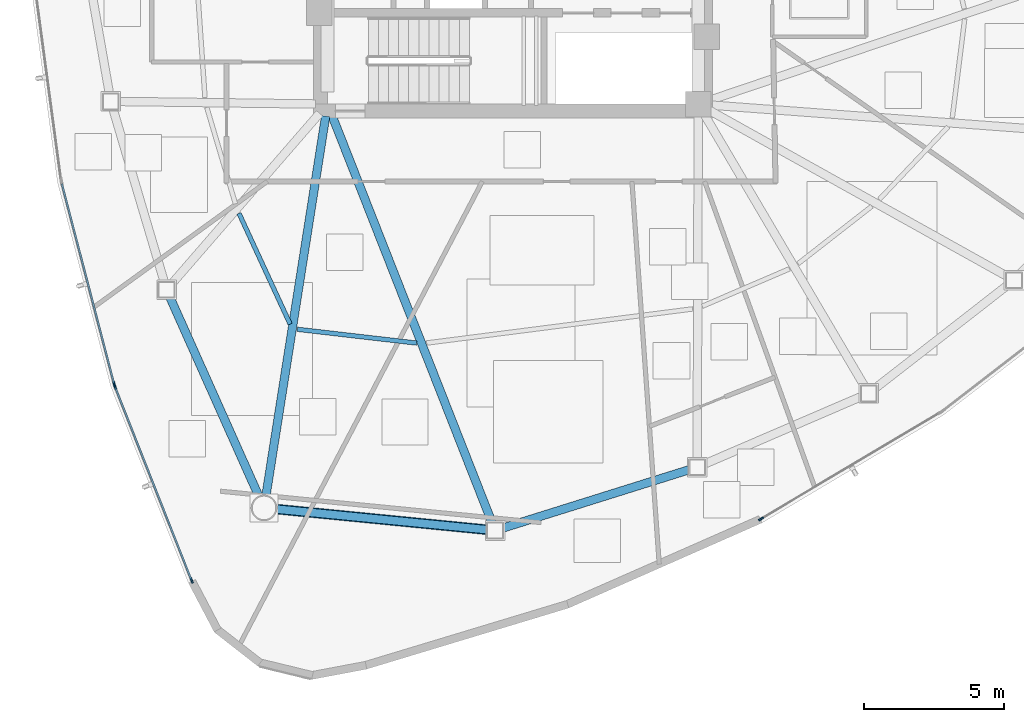
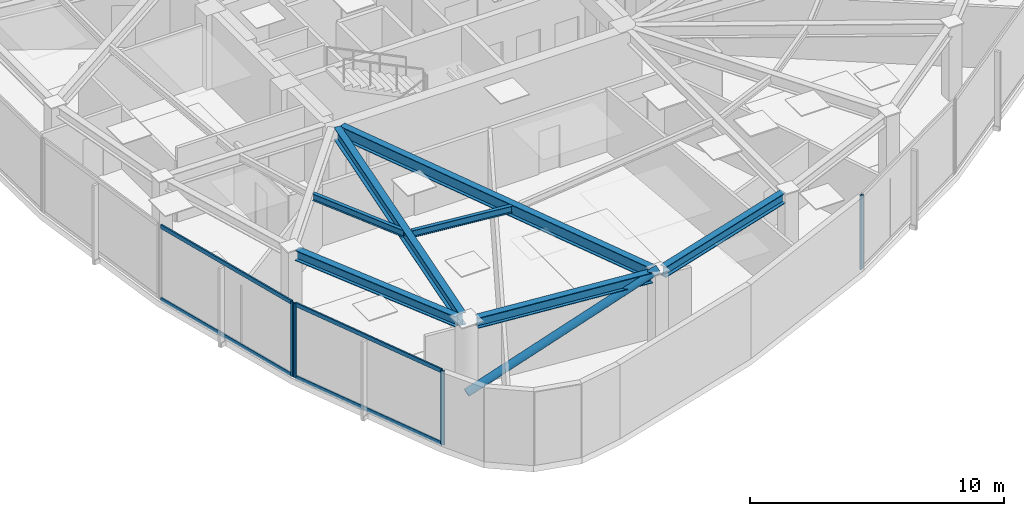
# One storey, part 2 of 18: 9 members, 7 beams, 3 elements without a shape of their own.
"""IFC4 building model written with IfcOpenShell, lengths in metres."""

from ifc_helpers import new_model, si_unit, direction, frame, origin, origin_2d, place, context, subcontext, project, spatial, hollow_rectangle, hollow_circle, i_section, extrude, source, transform, mapped, material, layer, layer_set, material_profile, profile_set, type_object, type_shapes, element, aggregate, save


model = new_model("IFC4")

# Units and contexts
model_context = context("Model", 3, precision=1e-05, world=origin(), true_north=direction((0.0, 1.0)))
body_context = subcontext(model_context, "Body", "Model", "MODEL_VIEW")
ifc_project = project(units=[si_unit("LENGTHUNIT", "METRE"), si_unit("AREAUNIT", "SQUARE_METRE"), si_unit("VOLUMEUNIT", "CUBIC_METRE"), si_unit("PLANEANGLEUNIT", "RADIAN"), si_unit("MASSUNIT", "GRAM", prefix="KILO")], contexts=[model_context])

# Site, building, storey
site_placement = place(None, origin())
site = spatial("IfcSite", under=ifc_project, at=site_placement, CompositionType="ELEMENT")
building_placement = place(site_placement, origin())
building = spatial("IfcBuilding", under=site, at=building_placement, Name="Tavelor Broadcast Tower", CompositionType="ELEMENT")
storey_placement = place(building_placement, frame((0.0, 0.0, 177.199951171875)))
storey = spatial("IfcBuildingStorey", under=building, at=storey_placement, Name="L42", CompositionType="ELEMENT", Elevation=177.199951171875)

# Beams
ifc_material_1 = material(Name="Steel S355", Category="steel")
ifc_material_profile_1 = material_profile(ifc_material_1, i_section(OverallWidth=0.159912109375, OverallDepth=0.330078125, WebThickness=0.007568359375, FlangeThickness=0.011474609375, at=origin_2d()), Name="IPE 330")
ifc_profile_set_1 = profile_set([ifc_material_profile_1], Name="Steel S355")
beam_type_1 = type_object("IfcBeamType", Name="Composite Floor Joist T4 IPE 330", PredefinedType="JOIST", material=ifc_profile_set_1)
beam_1_placement = place(storey_placement, frame((40.2470703125, 34.91259765625, 3.385009765625), z_axis=(0.418865688231, -0.908048200936, 0.0), x_axis=(0.908048200936, 0.418865688231, 0.0)))
element("IfcBeam", 1, at=beam_1_placement, inside=storey, type_object=beam_type_1, Name="L42 Secondary Composite Floor Joist 06", PredefinedType="JOIST", context=body_context, shape_type="SweptSolid", body=[
    extrude(i_section(OverallWidth=0.159912109375, OverallDepth=0.330078125, WebThickness=0.007568359375, FlangeThickness=0.011474609375, at=origin_2d()), origin(), (0.0, 0.0, 1.0), 4.343505859375),
])
beam_2_placement = place(storey_placement, frame((42.322021484375, 30.783447265625, 3.385009765625), z_axis=(0.99339343168, -0.114758397927, 0.0), x_axis=(0.114758397927, 0.99339343168, 0.0)))
element("IfcBeam", 2, at=beam_2_placement, inside=storey, type_object=beam_type_1, Name="L42 Secondary Composite Floor Joist 07", PredefinedType="JOIST", context=body_context, shape_type="SweptSolid", body=[
    extrude(i_section(OverallWidth=0.159912109375, OverallDepth=0.330078125, WebThickness=0.007568359375, FlangeThickness=0.011474609375, at=origin_2d()), origin(), (0.0, 0.0, 1.0), 4.2783203125),
])
ifc_material_profile_2 = material_profile(ifc_material_1, i_section(OverallWidth=0.300048828125, OverallDepth=0.5, WebThickness=0.014404296875, FlangeThickness=0.028076171875, at=origin_2d()), Name="HEB 500")
ifc_profile_set_2 = profile_set([ifc_material_profile_2], Name="Steel S355")
beam_type_2 = type_object("IfcBeamType", Name="Perimeter Spandrel Beam T4 HEB 500", PredefinedType="SPANDREL", material=ifc_profile_set_2)
beam_3_placement = place(storey_placement, frame((37.78564453125, 31.927490234375, 3.300048828125), z_axis=(0.407969002466, -0.912995779304, 0.0), x_axis=(0.912995779304, 0.407969002466, 0.0)))
element("IfcBeam", 3, at=beam_3_placement, inside=storey, type_object=beam_type_2, Name="L42 Framed-Tube Ring Spandrel 06", PredefinedType="SPANDREL", context=body_context, shape_type="SweptSolid", body=[
    extrude(i_section(OverallWidth=0.300048828125, OverallDepth=0.5, WebThickness=0.014404296875, FlangeThickness=0.028076171875, at=origin_2d()), origin(), (0.0, 0.0, 1.0), 7.7802734375),
])
beam_4_placement = place(storey_placement, frame((41.5751953125, 24.381103515625, 3.300048828125), z_axis=(0.995249339376, -0.097358884918, 0.0), x_axis=(0.097358884918, 0.995249339376, 0.0)))
element("IfcBeam", 4, at=beam_4_placement, inside=storey, type_object=beam_type_2, Name="L42 Framed-Tube Ring Spandrel 07", PredefinedType="SPANDREL", context=body_context, shape_type="SweptSolid", body=[
    extrude(i_section(OverallWidth=0.300048828125, OverallDepth=0.5, WebThickness=0.014404296875, FlangeThickness=0.028076171875, at=origin_2d()), origin(), (0.0, 0.0, 1.0), 7.54052734375),
])
beam_5_placement = place(storey_placement, frame((49.641357421875, 23.705078125, 3.300048828125), z_axis=(0.954273247332, 0.298935727918, 0.0), x_axis=(-0.298935727918, 0.954273247332, 0.0)))
element("IfcBeam", 5, at=beam_5_placement, inside=storey, type_object=beam_type_2, Name="L42 Framed-Tube Ring Spandrel 08", PredefinedType="SPANDREL", context=body_context, shape_type="SweptSolid", body=[
    extrude(i_section(OverallWidth=0.300048828125, OverallDepth=0.5, WebThickness=0.014404296875, FlangeThickness=0.028076171875, at=origin_2d()), origin(), (0.0, 0.0, 1.0), 6.963134765625),
])

# Member
ifc_material_profile_3 = material_profile(ifc_material_1, hollow_circle(Radius=0.177734375, WallThickness=0.01611328125, at=origin_2d()), Name="CHS 355.6x16")
ifc_profile_set_3 = profile_set([ifc_material_profile_3], Name="Steel S355")
member_type_1 = type_object("IfcMemberType", Name="Perimeter Tube Brace T4 CHS 355.6x16", PredefinedType="BRACE", material=ifc_profile_set_3)
member_1_placement = place(storey_placement, frame((41.138671875, 24.423828125, 0.0), z_axis=(0.914496364203, -0.089466025126, 0.394578547577), x_axis=(0.097366094377, 0.995248634094, 0.0)))
element("IfcMember", 6, at=member_1_placement, inside=storey, type_object=member_type_1, Name="L42 Corner Tube Diagonal Brace 2", PredefinedType="BRACE", context=body_context, shape_type="SweptSolid", body=[
    extrude(hollow_circle(Radius=0.177734375, WallThickness=0.01611328125, at=origin_2d()), origin(), (0.0, 0.0, 1.0), 8.9970703125),
])

# Beams
ifc_material_profile_4 = material_profile(ifc_material_1, i_section(OverallWidth=0.300048828125, OverallDepth=0.590087890625, WebThickness=0.012939453125, FlangeThickness=0.02490234375, at=origin_2d()), Name="HEA 600")
ifc_profile_set_4 = profile_set([ifc_material_profile_4], Name="Steel S355")
beam_type_3 = type_object("IfcBeamType", Name="Radial Floor Girder T4 HEA 600", PredefinedType="BEAM", material=ifc_profile_set_4)
beam_6_placement = place(storey_placement, frame((43.3330078125, 38.373291015625, 3.255126953125), z_axis=(-0.15539903111, -0.987851780952, 0.0), x_axis=(0.987851780952, -0.15539903111, 0.0)))
element("IfcBeam", 7, at=beam_6_placement, inside=storey, type_object=beam_type_3, Name="L42 Radial Primary Floor Girder 07", PredefinedType="BEAM", context=body_context, shape_type="SweptSolid", body=[
    extrude(i_section(OverallWidth=0.300048828125, OverallDepth=0.590087890625, WebThickness=0.012939453125, FlangeThickness=0.02490234375, at=origin_2d()), origin(), (0.0, 0.0, 1.0), 13.682373046875),
])
beam_7_placement = place(storey_placement, frame((43.55810546875, 38.39794921875, 3.255126953125), z_axis=(0.365784627572, -0.930699525213, 0.0), x_axis=(0.930699525213, 0.365784627572, 0.0)))
element("IfcBeam", 8, at=beam_7_placement, inside=storey, type_object=beam_type_3, Name="L42 Radial Primary Floor Girder 08", PredefinedType="BEAM", context=body_context, shape_type="SweptSolid", body=[
    extrude(i_section(OverallWidth=0.300048828125, OverallDepth=0.590087890625, WebThickness=0.012939453125, FlangeThickness=0.02490234375, at=origin_2d()), origin(), (0.0, 0.0, 1.0), 15.591552734375),
])

# Curtain wall, member
ifc_material_2 = material(Name="Architectural Anodized Aluminium", Category="aluminium")
ifc_layer = layer(ifc_material_2, 0.18994140625)
ifc_layer_set = layer_set([ifc_layer], Name="Architectural Anodized Aluminium")
curtain_wall_type = type_object("IfcCurtainWallType", Name="Tower Mid-Zone Acoustic Curtain Wall CW03", PredefinedType="NOTDEFINED", material=ifc_layer_set)
curtain_wall_1_placement = place(storey_placement, origin())
curtain_wall_1 = element("IfcCurtainWall", 9, at=curtain_wall_1_placement, inside=storey, type_object=curtain_wall_type, Name="L42 Curtain Wall CW03 Run 447", PredefinedType="NOTDEFINED")
ifc_material_profile_5 = material_profile(ifc_material_2, hollow_rectangle(XDim=0.068115234375, YDim=0.18994140625, WallThickness=0.02197265625, at=origin_2d()), Name="RHS 68x190x22")
ifc_profile_set_5 = profile_set([ifc_material_profile_5], Name="Architectural Anodized Aluminium")
member_type_2 = type_object("IfcMemberType", Name="CW03 Extruded Aluminium Mullion 68x190", PredefinedType="MULLION", material=ifc_profile_set_5)
shared_shape_1 = source(origin(), body_context, "Body", "SweptSolid", [
    extrude(hollow_rectangle(XDim=0.068115234375, YDim=0.18994140625, WallThickness=0.02197265625, at=origin_2d()), origin(), (0.0, 0.0, 1.0), 3.550048828125),
])
type_shapes(member_type_2, [shared_shape_1])
member_2_placement = place(storey_placement, frame((35.8017578125, 28.830078125, 0.0), z_axis=(0.0, 0.0, 1.0), x_axis=(0.967596383628, 0.252501957199, 0.0)))
member_2 = element("IfcMember", 10, at=member_2_placement, type_object=member_type_2, Name="CW03 mullion 2", PredefinedType="MULLION", context=body_context, shape_type="MappedRepresentation", body=[
    mapped(shared_shape_1, transform((0.0, 0.0, 0.0), scale=1.0)),
])

# Curtain wall, members
curtain_wall_2_placement = place(storey_placement, origin())
curtain_wall_2 = element("IfcCurtainWall", 11, at=curtain_wall_2_placement, inside=storey, type_object=curtain_wall_type, Name="L42 Curtain Wall CW03 Run 448", PredefinedType="NOTDEFINED")
member_3_placement = place(storey_placement, frame((35.832275390625, 28.737060546875, 0.0), z_axis=(0.0, 0.0, 1.0), x_axis=(0.929928870314, 0.367739440578, 0.0)))
member_3 = element("IfcMember", 12, at=member_3_placement, type_object=member_type_2, Name="CW03 mullion 1", PredefinedType="MULLION", context=body_context, shape_type="MappedRepresentation", body=[
    mapped(shared_shape_1, transform((0.0, 0.0, 0.0), scale=1.0)),
])
member_4_placement = place(storey_placement, frame((38.561767578125, 21.834716796875, 0.0), z_axis=(0.0, 0.0, 1.0), x_axis=(0.929928870314, 0.367739440578, 0.0)))
member_4 = element("IfcMember", 13, at=member_4_placement, type_object=member_type_2, Name="CW03 mullion 2", PredefinedType="MULLION", context=body_context, shape_type="MappedRepresentation", body=[
    mapped(shared_shape_1, transform((0.0, 0.0, 0.0), scale=1.0)),
])

# Curtain wall, member
curtain_wall_3_placement = place(storey_placement, origin())
curtain_wall_3 = element("IfcCurtainWall", 14, at=curtain_wall_3_placement, inside=storey, type_object=curtain_wall_type, Name="L42 Curtain Wall CW03 Run 449", PredefinedType="NOTDEFINED")
member_5_placement = place(storey_placement, frame((58.8349609375, 24.03076171875, 0.0), z_axis=(0.0, 0.0, 1.0), x_axis=(-0.510915685633, 0.859630829004, 0.0)))
member_5 = element("IfcMember", 15, at=member_5_placement, type_object=member_type_2, Name="CW03 mullion 1", PredefinedType="MULLION", context=body_context, shape_type="MappedRepresentation", body=[
    mapped(shared_shape_1, transform((0.0, 0.0, 0.0), scale=1.0)),
])
aggregate(curtain_wall_3, [member_5])

# Member
ifc_material_profile_6 = material_profile(ifc_material_2, hollow_rectangle(XDim=0.068115234375, YDim=0.18994140625, WallThickness=0.02197265625, at=origin_2d()), Name="RHS 68x190x22")
ifc_profile_set_6 = profile_set([ifc_material_profile_6], Name="Architectural Anodized Aluminium")
member_type_3 = type_object("IfcMemberType", Name="CW03 Extruded Aluminium Transom 68x190", PredefinedType="USERDEFINED", material=ifc_profile_set_6)
shared_shape_2 = source(origin(), body_context, "Body", "SweptSolid", [
    extrude(hollow_rectangle(XDim=0.068115234375, YDim=0.18994140625, WallThickness=0.02197265625, at=origin_2d()), origin(), (0.0, 0.0, 1.0), 7.33837890625),
])
member_6_placement = place(storey_placement, frame((33.940185546875, 35.963623046875, 0.033935546875), z_axis=(0.252511280594, -0.967593950566, 0.0), x_axis=(0.967593950566, 0.252511280594, 0.0)))
member_6 = element("IfcMember", 16, at=member_6_placement, type_object=member_type_3, Name="CW03 transom 1.1", ObjectType="TRANSOM", PredefinedType="USERDEFINED", context=body_context, shape_type="MappedRepresentation", body=[
    mapped(shared_shape_2, transform((0.0, 0.0, 0.0), scale=1.0)),
])

member_7_placement = place(storey_placement, frame((33.940185546875, 35.963623046875, 3.51611328125), z_axis=(0.252511280594, -0.967593950566, 0.0), x_axis=(0.967593950566, 0.252511280594, 0.0)))
member_7 = element("IfcMember", 17, at=member_7_placement, type_object=member_type_3, Name="CW03 transom 1.2", ObjectType="TRANSOM", PredefinedType="USERDEFINED", context=body_context, shape_type="MappedRepresentation", body=[
    mapped(shared_shape_2, transform((0.0, 0.0, 0.0), scale=1.0)),
])

aggregate(curtain_wall_1, [member_2, member_6, member_7])

shared_shape_3 = source(origin(), body_context, "Body", "SweptSolid", [
    extrude(hollow_rectangle(XDim=0.068115234375, YDim=0.18994140625, WallThickness=0.02197265625, at=origin_2d()), origin(), (0.0, 0.0, 1.0), 7.3544921875),
])
type_shapes(member_type_3, [shared_shape_2, shared_shape_3])
member_8_placement = place(storey_placement, frame((35.8447265625, 28.70556640625, 0.033935546875), z_axis=(0.367718977905, -0.929936961997, 0.0), x_axis=(0.929936961997, 0.367718977905, 0.0)))
member_8 = element("IfcMember", 18, at=member_8_placement, type_object=member_type_3, Name="CW03 transom 1.1", ObjectType="TRANSOM", PredefinedType="USERDEFINED", context=body_context, shape_type="MappedRepresentation", body=[
    mapped(shared_shape_3, transform((0.0, 0.0, 0.0), scale=1.0)),
])

member_9_placement = place(storey_placement, frame((35.8447265625, 28.70556640625, 3.51611328125), z_axis=(0.367718977905, -0.929936961997, 0.0), x_axis=(0.929936961997, 0.367718977905, 0.0)))
member_9 = element("IfcMember", 19, at=member_9_placement, type_object=member_type_3, Name="CW03 transom 1.2", ObjectType="TRANSOM", PredefinedType="USERDEFINED", context=body_context, shape_type="MappedRepresentation", body=[
    mapped(shared_shape_3, transform((0.0, 0.0, 0.0), scale=1.0)),
])

aggregate(curtain_wall_2, [member_3, member_4, member_8, member_9])

save(model, "model.ifc")
